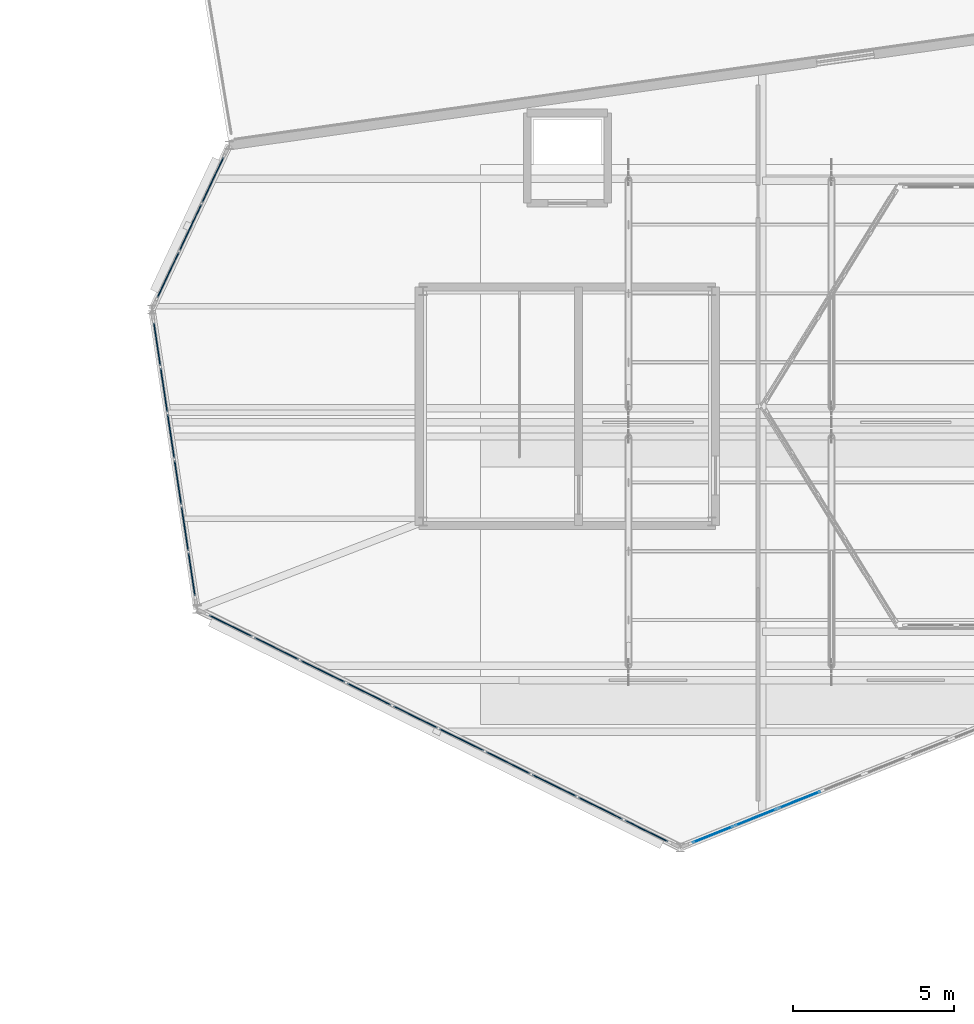
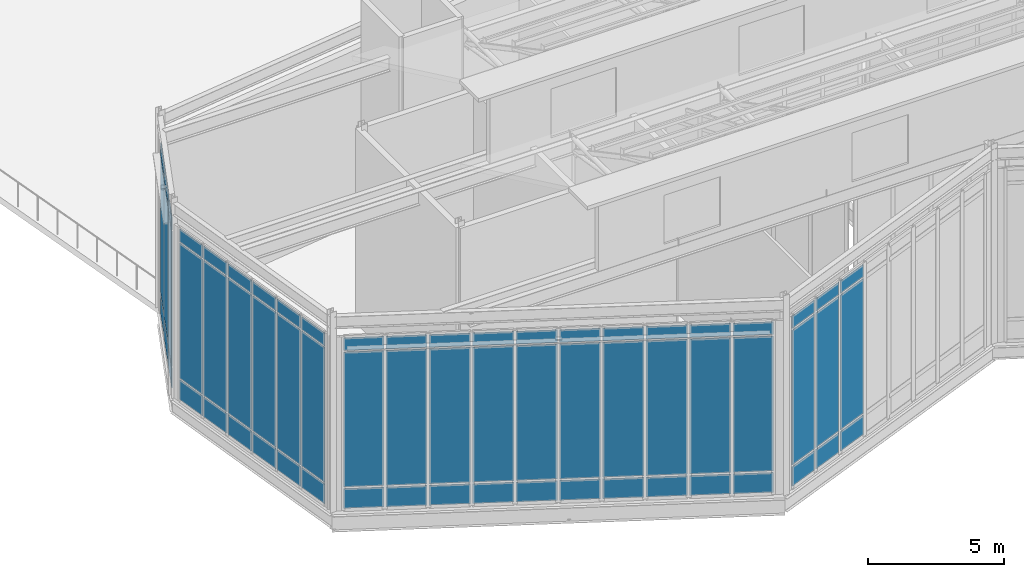
# One storey, part 42 of 66: 66 plates, 4 elements without a shape of their own.
"""IFC4 building model written with IfcOpenShell, lengths in metres."""

from ifc_helpers import new_model, si_unit, direction, frame, origin, origin_2d, place, context, subcontext, project, spatial, rectangle, extrude, material, layer, layer_set, type_object, element, aggregate, save


model = new_model("IFC4")

# Units and contexts
model_context = context("Model", 3, precision=1e-05, world=origin(), true_north=direction((0.0, 1.0)))
body_context = subcontext(model_context, "Body", "Model", "MODEL_VIEW")
ifc_project = project(units=[si_unit("LENGTHUNIT", "METRE"), si_unit("AREAUNIT", "SQUARE_METRE"), si_unit("VOLUMEUNIT", "CUBIC_METRE"), si_unit("PLANEANGLEUNIT", "RADIAN"), si_unit("MASSUNIT", "GRAM", prefix="KILO")], contexts=[model_context])

# Site, building, storey
site_placement = place(None, origin())
site = spatial("IfcSite", under=ifc_project, at=site_placement, CompositionType="ELEMENT")
building_placement = place(site_placement, origin())
building = spatial("IfcBuilding", under=site, at=building_placement, Name="Tameran Prism Museum", CompositionType="ELEMENT")
storey_placement = place(building_placement, frame((0.0, 0.0, 19.800048828125)))
storey = spatial("IfcBuildingStorey", under=building, at=storey_placement, Name="L04", CompositionType="ELEMENT", Elevation=19.800048828125)

# Curtain wall, plates
ifc_material_1 = material(Name="Anodised Aluminium 6063-T6 and Cyclone Solar Glass", Category="aluminium")
curtain_wall_type_1 = type_object("IfcCurtainWallType", Name="CW-FAC-1163x782", PredefinedType="USERDEFINED", material=ifc_material_1)
curtain_wall_1_placement = place(storey_placement, origin())
curtain_wall_1 = element("IfcCurtainWall", 1, at=curtain_wall_1_placement, inside=storey, type_object=curtain_wall_type_1, Name="Unitised Curtain Wall CW-158", ObjectType="UNITISED CURTAIN WALL", PredefinedType="USERDEFINED")
ifc_material_2 = material(Name="Low-E Laminated Solar Glass", Category="glass")
ifc_layer_1 = layer(ifc_material_2, 0.028076171875)
ifc_layer_set_1 = layer_set([ifc_layer_1])
plate_type_1 = type_object("IfcPlateType", Name="CW-PNL-G28", PredefinedType="CURTAIN_PANEL", material=ifc_layer_set_1)
plate_1_placement = place(storey_placement, frame((69.6982421875, 24.279296875, 0.080078125), z_axis=(0.0, 0.0, 1.0), x_axis=(-0.928464826032, -0.371420337114, 0.0)))
plate_1 = element("IfcPlate", 2, at=plate_1_placement, type_object=plate_type_1, Name="CW-158 panel 6.1", PredefinedType="CURTAIN_PANEL", context=body_context, shape_type="SweptSolid", body=[
    extrude(rectangle(XDim=1.373291015625, YDim=0.028076171875, at=origin_2d()), origin(), (0.0, 0.0, 1.0), 0.8798828125),
])
plate_2_placement = place(storey_placement, frame((69.6982421875, 24.279296875, 1.0400390625), z_axis=(0.0, 0.0, 1.0), x_axis=(-0.928464826032, -0.371420337114, 0.0)))
plate_2 = element("IfcPlate", 3, at=plate_2_placement, type_object=plate_type_1, Name="CW-158 panel 6.2", PredefinedType="CURTAIN_PANEL", context=body_context, shape_type="SweptSolid", body=[
    extrude(rectangle(XDim=1.373291015625, YDim=0.028076171875, at=origin_2d()), origin(), (0.0, 0.0, 1.0), 6.06005859375),
])
plate_3_placement = place(storey_placement, frame((69.6982421875, 24.279296875, 7.179931640625), z_axis=(0.0, 0.0, 1.0), x_axis=(-0.928464826032, -0.371420337114, 0.0)))
plate_3 = element("IfcPlate", 4, at=plate_3_placement, type_object=plate_type_1, Name="CW-158 panel 6.3", PredefinedType="CURTAIN_PANEL", context=body_context, shape_type="SweptSolid", body=[
    extrude(rectangle(XDim=1.373291015625, YDim=0.028076171875, at=origin_2d()), origin(), (0.0, 0.0, 1.0), 0.56005859375),
])
plate_4_placement = place(storey_placement, frame((68.348876953125, 23.73974609375, 0.080078125), z_axis=(0.0, 0.0, 1.0), x_axis=(-0.928464826032, -0.371420337114, 0.0)))
plate_4 = element("IfcPlate", 5, at=plate_4_placement, type_object=plate_type_1, Name="CW-158 panel 7.1", PredefinedType="CURTAIN_PANEL", context=body_context, shape_type="SweptSolid", body=[
    extrude(rectangle(XDim=1.373291015625, YDim=0.028076171875, at=origin_2d()), origin(), (0.0, 0.0, 1.0), 0.8798828125),
])
plate_5_placement = place(storey_placement, frame((68.348876953125, 23.73974609375, 1.0400390625), z_axis=(0.0, 0.0, 1.0), x_axis=(-0.928464826032, -0.371420337114, 0.0)))
plate_5 = element("IfcPlate", 6, at=plate_5_placement, type_object=plate_type_1, Name="CW-158 panel 7.2", PredefinedType="CURTAIN_PANEL", context=body_context, shape_type="SweptSolid", body=[
    extrude(rectangle(XDim=1.373291015625, YDim=0.028076171875, at=origin_2d()), origin(), (0.0, 0.0, 1.0), 6.06005859375),
])
plate_6_placement = place(storey_placement, frame((68.348876953125, 23.73974609375, 7.179931640625), z_axis=(0.0, 0.0, 1.0), x_axis=(-0.928464826032, -0.371420337114, 0.0)))
plate_6 = element("IfcPlate", 7, at=plate_6_placement, type_object=plate_type_1, Name="CW-158 panel 7.3", PredefinedType="CURTAIN_PANEL", context=body_context, shape_type="SweptSolid", body=[
    extrude(rectangle(XDim=1.373291015625, YDim=0.028076171875, at=origin_2d()), origin(), (0.0, 0.0, 1.0), 0.56005859375),
])
plate_7_placement = place(storey_placement, frame((67.018310546875, 23.207275390625, 0.080078125), z_axis=(0.0, 0.0, 1.0), x_axis=(-0.928464826032, -0.371420337114, 0.0)))
plate_7 = element("IfcPlate", 8, at=plate_7_placement, type_object=plate_type_1, Name="CW-158 panel 8.1", PredefinedType="CURTAIN_PANEL", context=body_context, shape_type="SweptSolid", body=[
    extrude(rectangle(XDim=1.333251953125, YDim=0.028076171875, at=origin_2d()), origin(), (0.0, 0.0, 1.0), 0.8798828125),
])
plate_8_placement = place(storey_placement, frame((67.018310546875, 23.207275390625, 1.0400390625), z_axis=(0.0, 0.0, 1.0), x_axis=(-0.928464826032, -0.371420337114, 0.0)))
plate_8 = element("IfcPlate", 9, at=plate_8_placement, type_object=plate_type_1, Name="CW-158 panel 8.2", PredefinedType="CURTAIN_PANEL", context=body_context, shape_type="SweptSolid", body=[
    extrude(rectangle(XDim=1.333251953125, YDim=0.028076171875, at=origin_2d()), origin(), (0.0, 0.0, 1.0), 6.06005859375),
])
plate_9_placement = place(storey_placement, frame((67.018310546875, 23.207275390625, 7.179931640625), z_axis=(0.0, 0.0, 1.0), x_axis=(-0.928464826032, -0.371420337114, 0.0)))
plate_9 = element("IfcPlate", 10, at=plate_9_placement, type_object=plate_type_1, Name="CW-158 panel 8.3", PredefinedType="CURTAIN_PANEL", context=body_context, shape_type="SweptSolid", body=[
    extrude(rectangle(XDim=1.333251953125, YDim=0.028076171875, at=origin_2d()), origin(), (0.0, 0.0, 1.0), 0.56005859375),
])
aggregate(curtain_wall_1, [plate_1, plate_2, plate_3, plate_4, plate_5, plate_6, plate_7, plate_8, plate_9])

ifc_material_3 = material(Name="Anodised Aluminium 6063-T6 and Cyclone Solar Glass", Category="aluminium")
curtain_wall_type_2 = type_object("IfcCurtainWallType", Name="CW-FAC-870x782", PredefinedType="USERDEFINED", material=ifc_material_3)
curtain_wall_2_placement = place(storey_placement, origin())
curtain_wall_2 = element("IfcCurtainWall", 11, at=curtain_wall_2_placement, inside=storey, type_object=curtain_wall_type_2, Name="Unitised Curtain Wall CW-156", ObjectType="UNITISED CURTAIN WALL", PredefinedType="USERDEFINED")
ifc_material_4 = material(Name="Cyclone Laminated Solar Glass", Category="glass")
ifc_layer_2 = layer(ifc_material_4, 0.031982421875)
ifc_layer_set_2 = layer_set([ifc_layer_2])
plate_type_2 = type_object("IfcPlateType", Name="CW-PNL-G32", PredefinedType="CURTAIN_PANEL", material=ifc_layer_set_2)
plate_10_placement = place(storey_placement, frame((50.83740234375, 31.280517578125, 0.06982421875), z_axis=(0.0, 0.0, 1.0), x_axis=(-0.148879703546, 0.988855314933, 0.0)))
plate_10 = element("IfcPlate", 12, at=plate_10_placement, type_object=plate_type_2, Name="CW-156 panel 1.1", PredefinedType="CURTAIN_PANEL", context=body_context, shape_type="SweptSolid", body=[
    extrude(rectangle(XDim=1.345947265625, YDim=0.031982421875, at=origin_2d()), origin(), (0.0, 0.0, 1.0), 0.89501953125),
])
plate_11_placement = place(storey_placement, frame((50.83740234375, 31.280517578125, 1.03515625), z_axis=(0.0, 0.0, 1.0), x_axis=(-0.148879703546, 0.988855314933, 0.0)))
plate_11 = element("IfcPlate", 13, at=plate_11_placement, type_object=plate_type_2, Name="CW-156 panel 1.2", PredefinedType="CURTAIN_PANEL", context=body_context, shape_type="SweptSolid", body=[
    extrude(rectangle(XDim=1.345947265625, YDim=0.031982421875, at=origin_2d()), origin(), (0.0, 0.0, 1.0), 6.070068359375),
])
plate_12_placement = place(storey_placement, frame((50.83740234375, 31.280517578125, 7.1748046875), z_axis=(0.0, 0.0, 1.0), x_axis=(-0.148879703546, 0.988855314933, 0.0)))
plate_12 = element("IfcPlate", 14, at=plate_12_placement, type_object=plate_type_2, Name="CW-156 panel 1.3", PredefinedType="CURTAIN_PANEL", context=body_context, shape_type="SweptSolid", body=[
    extrude(rectangle(XDim=1.345947265625, YDim=0.031982421875, at=origin_2d()), origin(), (0.0, 0.0, 1.0), 0.574951171875),
])
plate_13_placement = place(storey_placement, frame((50.6240234375, 32.697998046875, 0.06982421875), z_axis=(0.0, 0.0, 1.0), x_axis=(-0.148879703546, 0.988855314933, 0.0)))
plate_13 = element("IfcPlate", 15, at=plate_13_placement, type_object=plate_type_2, Name="CW-156 panel 2.1", PredefinedType="CURTAIN_PANEL", context=body_context, shape_type="SweptSolid", body=[
    extrude(rectangle(XDim=1.380859375, YDim=0.031982421875, at=origin_2d()), origin(), (0.0, 0.0, 1.0), 0.89501953125),
])
plate_14_placement = place(storey_placement, frame((50.6240234375, 32.697998046875, 1.03515625), z_axis=(0.0, 0.0, 1.0), x_axis=(-0.148879703546, 0.988855314933, 0.0)))
plate_14 = element("IfcPlate", 16, at=plate_14_placement, type_object=plate_type_2, Name="CW-156 panel 2.2", PredefinedType="CURTAIN_PANEL", context=body_context, shape_type="SweptSolid", body=[
    extrude(rectangle(XDim=1.380859375, YDim=0.031982421875, at=origin_2d()), origin(), (0.0, 0.0, 1.0), 6.070068359375),
])
plate_15_placement = place(storey_placement, frame((50.6240234375, 32.697998046875, 7.1748046875), z_axis=(0.0, 0.0, 1.0), x_axis=(-0.148879703546, 0.988855314933, 0.0)))
plate_15 = element("IfcPlate", 17, at=plate_15_placement, type_object=plate_type_2, Name="CW-156 panel 2.3", PredefinedType="CURTAIN_PANEL", context=body_context, shape_type="SweptSolid", body=[
    extrude(rectangle(XDim=1.380859375, YDim=0.031982421875, at=origin_2d()), origin(), (0.0, 0.0, 1.0), 0.574951171875),
])
plate_16_placement = place(storey_placement, frame((50.407958984375, 34.132568359375, 0.06982421875), z_axis=(0.0, 0.0, 1.0), x_axis=(-0.148879703546, 0.988855314933, 0.0)))
plate_16 = element("IfcPlate", 18, at=plate_16_placement, type_object=plate_type_2, Name="CW-156 panel 3.1", PredefinedType="CURTAIN_PANEL", context=body_context, shape_type="SweptSolid", body=[
    extrude(rectangle(XDim=1.380859375, YDim=0.031982421875, at=origin_2d()), origin(), (0.0, 0.0, 1.0), 0.89501953125),
])
plate_17_placement = place(storey_placement, frame((50.407958984375, 34.132568359375, 1.03515625), z_axis=(0.0, 0.0, 1.0), x_axis=(-0.148879703546, 0.988855314933, 0.0)))
plate_17 = element("IfcPlate", 19, at=plate_17_placement, type_object=plate_type_2, Name="CW-156 panel 3.2", PredefinedType="CURTAIN_PANEL", context=body_context, shape_type="SweptSolid", body=[
    extrude(rectangle(XDim=1.380859375, YDim=0.031982421875, at=origin_2d()), origin(), (0.0, 0.0, 1.0), 6.070068359375),
])
plate_18_placement = place(storey_placement, frame((50.407958984375, 34.132568359375, 7.1748046875), z_axis=(0.0, 0.0, 1.0), x_axis=(-0.148879703546, 0.988855314933, 0.0)))
plate_18 = element("IfcPlate", 20, at=plate_18_placement, type_object=plate_type_2, Name="CW-156 panel 3.3", PredefinedType="CURTAIN_PANEL", context=body_context, shape_type="SweptSolid", body=[
    extrude(rectangle(XDim=1.380859375, YDim=0.031982421875, at=origin_2d()), origin(), (0.0, 0.0, 1.0), 0.574951171875),
])
plate_19_placement = place(storey_placement, frame((50.19189453125, 35.5673828125, 0.06982421875), z_axis=(0.0, 0.0, 1.0), x_axis=(-0.148879703546, 0.988855314933, 0.0)))
plate_19 = element("IfcPlate", 21, at=plate_19_placement, type_object=plate_type_2, Name="CW-156 panel 4.1", PredefinedType="CURTAIN_PANEL", context=body_context, shape_type="SweptSolid", body=[
    extrude(rectangle(XDim=1.380859375, YDim=0.031982421875, at=origin_2d()), origin(), (0.0, 0.0, 1.0), 0.89501953125),
])
plate_20_placement = place(storey_placement, frame((50.19189453125, 35.5673828125, 1.03515625), z_axis=(0.0, 0.0, 1.0), x_axis=(-0.148879703546, 0.988855314933, 0.0)))
plate_20 = element("IfcPlate", 22, at=plate_20_placement, type_object=plate_type_2, Name="CW-156 panel 4.2", PredefinedType="CURTAIN_PANEL", context=body_context, shape_type="SweptSolid", body=[
    extrude(rectangle(XDim=1.380859375, YDim=0.031982421875, at=origin_2d()), origin(), (0.0, 0.0, 1.0), 6.070068359375),
])
plate_21_placement = place(storey_placement, frame((50.19189453125, 35.5673828125, 7.1748046875), z_axis=(0.0, 0.0, 1.0), x_axis=(-0.148879703546, 0.988855314933, 0.0)))
plate_21 = element("IfcPlate", 23, at=plate_21_placement, type_object=plate_type_2, Name="CW-156 panel 4.3", PredefinedType="CURTAIN_PANEL", context=body_context, shape_type="SweptSolid", body=[
    extrude(rectangle(XDim=1.380859375, YDim=0.031982421875, at=origin_2d()), origin(), (0.0, 0.0, 1.0), 0.574951171875),
])
plate_22_placement = place(storey_placement, frame((49.97607421875, 37.001953125, 0.06982421875), z_axis=(0.0, 0.0, 1.0), x_axis=(-0.148879703546, 0.988855314933, 0.0)))
plate_22 = element("IfcPlate", 24, at=plate_22_placement, type_object=plate_type_2, Name="CW-156 panel 5.1", PredefinedType="CURTAIN_PANEL", context=body_context, shape_type="SweptSolid", body=[
    extrude(rectangle(XDim=1.380859375, YDim=0.031982421875, at=origin_2d()), origin(), (0.0, 0.0, 1.0), 0.89501953125),
])
plate_23_placement = place(storey_placement, frame((49.97607421875, 37.001953125, 1.03515625), z_axis=(0.0, 0.0, 1.0), x_axis=(-0.148879703546, 0.988855314933, 0.0)))
plate_23 = element("IfcPlate", 25, at=plate_23_placement, type_object=plate_type_2, Name="CW-156 panel 5.2", PredefinedType="CURTAIN_PANEL", context=body_context, shape_type="SweptSolid", body=[
    extrude(rectangle(XDim=1.380859375, YDim=0.031982421875, at=origin_2d()), origin(), (0.0, 0.0, 1.0), 6.070068359375),
])
plate_24_placement = place(storey_placement, frame((49.97607421875, 37.001953125, 7.1748046875), z_axis=(0.0, 0.0, 1.0), x_axis=(-0.148879703546, 0.988855314933, 0.0)))
plate_24 = element("IfcPlate", 26, at=plate_24_placement, type_object=plate_type_2, Name="CW-156 panel 5.3", PredefinedType="CURTAIN_PANEL", context=body_context, shape_type="SweptSolid", body=[
    extrude(rectangle(XDim=1.380859375, YDim=0.031982421875, at=origin_2d()), origin(), (0.0, 0.0, 1.0), 0.574951171875),
])
plate_25_placement = place(storey_placement, frame((49.7626953125, 38.41943359375, 0.06982421875), z_axis=(0.0, 0.0, 1.0), x_axis=(-0.148879703546, 0.988855314933, 0.0)))
plate_25 = element("IfcPlate", 27, at=plate_25_placement, type_object=plate_type_2, Name="CW-156 panel 6.1", PredefinedType="CURTAIN_PANEL", context=body_context, shape_type="SweptSolid", body=[
    extrude(rectangle(XDim=1.345947265625, YDim=0.031982421875, at=origin_2d()), origin(), (0.0, 0.0, 1.0), 0.89501953125),
])
plate_26_placement = place(storey_placement, frame((49.7626953125, 38.41943359375, 1.03515625), z_axis=(0.0, 0.0, 1.0), x_axis=(-0.148879703546, 0.988855314933, 0.0)))
plate_26 = element("IfcPlate", 28, at=plate_26_placement, type_object=plate_type_2, Name="CW-156 panel 6.2", PredefinedType="CURTAIN_PANEL", context=body_context, shape_type="SweptSolid", body=[
    extrude(rectangle(XDim=1.345947265625, YDim=0.031982421875, at=origin_2d()), origin(), (0.0, 0.0, 1.0), 6.070068359375),
])
plate_27_placement = place(storey_placement, frame((49.7626953125, 38.41943359375, 7.1748046875), z_axis=(0.0, 0.0, 1.0), x_axis=(-0.148879703546, 0.988855314933, 0.0)))
plate_27 = element("IfcPlate", 29, at=plate_27_placement, type_object=plate_type_2, Name="CW-156 panel 6.3", PredefinedType="CURTAIN_PANEL", context=body_context, shape_type="SweptSolid", body=[
    extrude(rectangle(XDim=1.345947265625, YDim=0.031982421875, at=origin_2d()), origin(), (0.0, 0.0, 1.0), 0.574951171875),
])
aggregate(curtain_wall_2, [plate_10, plate_11, plate_12, plate_13, plate_14, plate_15, plate_16, plate_17, plate_18, plate_19, plate_20, plate_21, plate_22, plate_23, plate_24, plate_25, plate_26, plate_27])

ifc_material_5 = material(Name="Anodised Aluminium 6063-T6 and Cyclone Solar Glass", Category="aluminium")
curtain_wall_type_3 = type_object("IfcCurtainWallType", Name="CW-FAC-1603x782", PredefinedType="USERDEFINED", material=ifc_material_5)
curtain_wall_3_placement = place(storey_placement, origin())
curtain_wall_3 = element("IfcCurtainWall", 30, at=curtain_wall_3_placement, inside=storey, type_object=curtain_wall_type_3, Name="Unitised Curtain Wall CW-157", ObjectType="UNITISED CURTAIN WALL", PredefinedType="USERDEFINED")
plate_28_placement = place(storey_placement, frame((64.95068359375, 23.31787109375, 0.0751953125), z_axis=(0.0, 0.0, 1.0), x_axis=(-0.896810506275, 0.44241486846, 0.0)))
plate_28 = element("IfcPlate", 31, at=plate_28_placement, type_object=plate_type_2, Name="CW-157 panel 1.1", PredefinedType="CURTAIN_PANEL", context=body_context, shape_type="SweptSolid", body=[
    extrude(rectangle(XDim=1.489990234375, YDim=0.031982421875, at=origin_2d()), origin(), (0.0, 0.0, 1.0), 0.887451171875),
])
plate_29_placement = place(storey_placement, frame((64.95068359375, 23.31787109375, 1.03759765625), z_axis=(0.0, 0.0, 1.0), x_axis=(-0.896810506275, 0.44241486846, 0.0)))
plate_29 = element("IfcPlate", 32, at=plate_29_placement, type_object=plate_type_2, Name="CW-157 panel 1.2", PredefinedType="CURTAIN_PANEL", context=body_context, shape_type="SweptSolid", body=[
    extrude(rectangle(XDim=1.489990234375, YDim=0.031982421875, at=origin_2d()), origin(), (0.0, 0.0, 1.0), 6.06494140625),
])
plate_30_placement = place(storey_placement, frame((64.95068359375, 23.31787109375, 7.177490234375), z_axis=(0.0, 0.0, 1.0), x_axis=(-0.896810506275, 0.44241486846, 0.0)))
plate_30 = element("IfcPlate", 33, at=plate_30_placement, type_object=plate_type_2, Name="CW-157 panel 1.3", PredefinedType="CURTAIN_PANEL", context=body_context, shape_type="SweptSolid", body=[
    extrude(rectangle(XDim=1.489990234375, YDim=0.031982421875, at=origin_2d()), origin(), (0.0, 0.0, 1.0), 0.5673828125),
])
plate_31_placement = place(storey_placement, frame((63.5302734375, 24.0185546875, 0.0751953125), z_axis=(0.0, 0.0, 1.0), x_axis=(-0.896810506275, 0.44241486846, 0.0)))
plate_31 = element("IfcPlate", 34, at=plate_31_placement, type_object=plate_type_2, Name="CW-157 panel 2.1", PredefinedType="CURTAIN_PANEL", context=body_context, shape_type="SweptSolid", body=[
    extrude(rectangle(XDim=1.527587890625, YDim=0.031982421875, at=origin_2d()), origin(), (0.0, 0.0, 1.0), 0.887451171875),
])
plate_32_placement = place(storey_placement, frame((63.5302734375, 24.0185546875, 1.03759765625), z_axis=(0.0, 0.0, 1.0), x_axis=(-0.896810506275, 0.44241486846, 0.0)))
plate_32 = element("IfcPlate", 35, at=plate_32_placement, type_object=plate_type_2, Name="CW-157 panel 2.2", PredefinedType="CURTAIN_PANEL", context=body_context, shape_type="SweptSolid", body=[
    extrude(rectangle(XDim=1.527587890625, YDim=0.031982421875, at=origin_2d()), origin(), (0.0, 0.0, 1.0), 6.06494140625),
])
plate_33_placement = place(storey_placement, frame((63.5302734375, 24.0185546875, 7.177490234375), z_axis=(0.0, 0.0, 1.0), x_axis=(-0.896810506275, 0.44241486846, 0.0)))
plate_33 = element("IfcPlate", 36, at=plate_33_placement, type_object=plate_type_2, Name="CW-157 panel 2.3", PredefinedType="CURTAIN_PANEL", context=body_context, shape_type="SweptSolid", body=[
    extrude(rectangle(XDim=1.527587890625, YDim=0.031982421875, at=origin_2d()), origin(), (0.0, 0.0, 1.0), 0.5673828125),
])
plate_34_placement = place(storey_placement, frame((62.093017578125, 24.7275390625, 0.0751953125), z_axis=(0.0, 0.0, 1.0), x_axis=(-0.896810506275, 0.44241486846, 0.0)))
plate_34 = element("IfcPlate", 37, at=plate_34_placement, type_object=plate_type_2, Name="CW-157 panel 3.1", PredefinedType="CURTAIN_PANEL", context=body_context, shape_type="SweptSolid", body=[
    extrude(rectangle(XDim=1.527587890625, YDim=0.031982421875, at=origin_2d()), origin(), (0.0, 0.0, 1.0), 0.887451171875),
])
plate_35_placement = place(storey_placement, frame((62.093017578125, 24.7275390625, 1.03759765625), z_axis=(0.0, 0.0, 1.0), x_axis=(-0.896810506275, 0.44241486846, 0.0)))
plate_35 = element("IfcPlate", 38, at=plate_35_placement, type_object=plate_type_2, Name="CW-157 panel 3.2", PredefinedType="CURTAIN_PANEL", context=body_context, shape_type="SweptSolid", body=[
    extrude(rectangle(XDim=1.527587890625, YDim=0.031982421875, at=origin_2d()), origin(), (0.0, 0.0, 1.0), 6.06494140625),
])
plate_36_placement = place(storey_placement, frame((62.093017578125, 24.7275390625, 7.177490234375), z_axis=(0.0, 0.0, 1.0), x_axis=(-0.896810506275, 0.44241486846, 0.0)))
plate_36 = element("IfcPlate", 39, at=plate_36_placement, type_object=plate_type_2, Name="CW-157 panel 3.3", PredefinedType="CURTAIN_PANEL", context=body_context, shape_type="SweptSolid", body=[
    extrude(rectangle(XDim=1.527587890625, YDim=0.031982421875, at=origin_2d()), origin(), (0.0, 0.0, 1.0), 0.5673828125),
])
plate_37_placement = place(storey_placement, frame((60.65576171875, 25.4365234375, 0.0751953125), z_axis=(0.0, 0.0, 1.0), x_axis=(-0.896810506275, 0.44241486846, 0.0)))
plate_37 = element("IfcPlate", 40, at=plate_37_placement, type_object=plate_type_2, Name="CW-157 panel 4.1", PredefinedType="CURTAIN_PANEL", context=body_context, shape_type="SweptSolid", body=[
    extrude(rectangle(XDim=1.527587890625, YDim=0.031982421875, at=origin_2d()), origin(), (0.0, 0.0, 1.0), 0.887451171875),
])
plate_38_placement = place(storey_placement, frame((60.65576171875, 25.4365234375, 1.03759765625), z_axis=(0.0, 0.0, 1.0), x_axis=(-0.896810506275, 0.44241486846, 0.0)))
plate_38 = element("IfcPlate", 41, at=plate_38_placement, type_object=plate_type_2, Name="CW-157 panel 4.2", PredefinedType="CURTAIN_PANEL", context=body_context, shape_type="SweptSolid", body=[
    extrude(rectangle(XDim=1.527587890625, YDim=0.031982421875, at=origin_2d()), origin(), (0.0, 0.0, 1.0), 6.06494140625),
])
plate_39_placement = place(storey_placement, frame((60.65576171875, 25.4365234375, 7.177490234375), z_axis=(0.0, 0.0, 1.0), x_axis=(-0.896810506275, 0.44241486846, 0.0)))
plate_39 = element("IfcPlate", 42, at=plate_39_placement, type_object=plate_type_2, Name="CW-157 panel 4.3", PredefinedType="CURTAIN_PANEL", context=body_context, shape_type="SweptSolid", body=[
    extrude(rectangle(XDim=1.527587890625, YDim=0.031982421875, at=origin_2d()), origin(), (0.0, 0.0, 1.0), 0.5673828125),
])
plate_40_placement = place(storey_placement, frame((59.218505859375, 26.1455078125, 0.0751953125), z_axis=(0.0, 0.0, 1.0), x_axis=(-0.896810506275, 0.44241486846, 0.0)))
plate_40 = element("IfcPlate", 43, at=plate_40_placement, type_object=plate_type_2, Name="CW-157 panel 5.1", PredefinedType="CURTAIN_PANEL", context=body_context, shape_type="SweptSolid", body=[
    extrude(rectangle(XDim=1.527587890625, YDim=0.031982421875, at=origin_2d()), origin(), (0.0, 0.0, 1.0), 0.887451171875),
])
plate_41_placement = place(storey_placement, frame((59.218505859375, 26.1455078125, 1.03759765625), z_axis=(0.0, 0.0, 1.0), x_axis=(-0.896810506275, 0.44241486846, 0.0)))
plate_41 = element("IfcPlate", 44, at=plate_41_placement, type_object=plate_type_2, Name="CW-157 panel 5.2", PredefinedType="CURTAIN_PANEL", context=body_context, shape_type="SweptSolid", body=[
    extrude(rectangle(XDim=1.527587890625, YDim=0.031982421875, at=origin_2d()), origin(), (0.0, 0.0, 1.0), 6.06494140625),
])
plate_42_placement = place(storey_placement, frame((59.218505859375, 26.1455078125, 7.177490234375), z_axis=(0.0, 0.0, 1.0), x_axis=(-0.896810506275, 0.44241486846, 0.0)))
plate_42 = element("IfcPlate", 45, at=plate_42_placement, type_object=plate_type_2, Name="CW-157 panel 5.3", PredefinedType="CURTAIN_PANEL", context=body_context, shape_type="SweptSolid", body=[
    extrude(rectangle(XDim=1.527587890625, YDim=0.031982421875, at=origin_2d()), origin(), (0.0, 0.0, 1.0), 0.5673828125),
])
plate_43_placement = place(storey_placement, frame((57.781494140625, 26.8544921875, 0.0751953125), z_axis=(0.0, 0.0, 1.0), x_axis=(-0.896810506275, 0.44241486846, 0.0)))
plate_43 = element("IfcPlate", 46, at=plate_43_placement, type_object=plate_type_2, Name="CW-157 panel 6.1", PredefinedType="CURTAIN_PANEL", context=body_context, shape_type="SweptSolid", body=[
    extrude(rectangle(XDim=1.527587890625, YDim=0.031982421875, at=origin_2d()), origin(), (0.0, 0.0, 1.0), 0.887451171875),
])
plate_44_placement = place(storey_placement, frame((57.781494140625, 26.8544921875, 1.03759765625), z_axis=(0.0, 0.0, 1.0), x_axis=(-0.896810506275, 0.44241486846, 0.0)))
plate_44 = element("IfcPlate", 47, at=plate_44_placement, type_object=plate_type_2, Name="CW-157 panel 6.2", PredefinedType="CURTAIN_PANEL", context=body_context, shape_type="SweptSolid", body=[
    extrude(rectangle(XDim=1.527587890625, YDim=0.031982421875, at=origin_2d()), origin(), (0.0, 0.0, 1.0), 6.06494140625),
])
plate_45_placement = place(storey_placement, frame((57.781494140625, 26.8544921875, 7.177490234375), z_axis=(0.0, 0.0, 1.0), x_axis=(-0.896810506275, 0.44241486846, 0.0)))
plate_45 = element("IfcPlate", 48, at=plate_45_placement, type_object=plate_type_2, Name="CW-157 panel 6.3", PredefinedType="CURTAIN_PANEL", context=body_context, shape_type="SweptSolid", body=[
    extrude(rectangle(XDim=1.527587890625, YDim=0.031982421875, at=origin_2d()), origin(), (0.0, 0.0, 1.0), 0.5673828125),
])
plate_46_placement = place(storey_placement, frame((56.34423828125, 27.5634765625, 0.0751953125), z_axis=(0.0, 0.0, 1.0), x_axis=(-0.896810506275, 0.44241486846, 0.0)))
plate_46 = element("IfcPlate", 49, at=plate_46_placement, type_object=plate_type_2, Name="CW-157 panel 7.1", PredefinedType="CURTAIN_PANEL", context=body_context, shape_type="SweptSolid", body=[
    extrude(rectangle(XDim=1.527587890625, YDim=0.031982421875, at=origin_2d()), origin(), (0.0, 0.0, 1.0), 0.887451171875),
])
plate_47_placement = place(storey_placement, frame((56.34423828125, 27.5634765625, 1.03759765625), z_axis=(0.0, 0.0, 1.0), x_axis=(-0.896810506275, 0.44241486846, 0.0)))
plate_47 = element("IfcPlate", 50, at=plate_47_placement, type_object=plate_type_2, Name="CW-157 panel 7.2", PredefinedType="CURTAIN_PANEL", context=body_context, shape_type="SweptSolid", body=[
    extrude(rectangle(XDim=1.527587890625, YDim=0.031982421875, at=origin_2d()), origin(), (0.0, 0.0, 1.0), 6.06494140625),
])
plate_48_placement = place(storey_placement, frame((56.34423828125, 27.5634765625, 7.177490234375), z_axis=(0.0, 0.0, 1.0), x_axis=(-0.896810506275, 0.44241486846, 0.0)))
plate_48 = element("IfcPlate", 51, at=plate_48_placement, type_object=plate_type_2, Name="CW-157 panel 7.3", PredefinedType="CURTAIN_PANEL", context=body_context, shape_type="SweptSolid", body=[
    extrude(rectangle(XDim=1.527587890625, YDim=0.031982421875, at=origin_2d()), origin(), (0.0, 0.0, 1.0), 0.5673828125),
])
plate_49_placement = place(storey_placement, frame((54.906982421875, 28.2724609375, 0.0751953125), z_axis=(0.0, 0.0, 1.0), x_axis=(-0.896810506275, 0.44241486846, 0.0)))
plate_49 = element("IfcPlate", 52, at=plate_49_placement, type_object=plate_type_2, Name="CW-157 panel 8.1", PredefinedType="CURTAIN_PANEL", context=body_context, shape_type="SweptSolid", body=[
    extrude(rectangle(XDim=1.527587890625, YDim=0.031982421875, at=origin_2d()), origin(), (0.0, 0.0, 1.0), 0.887451171875),
])
plate_50_placement = place(storey_placement, frame((54.906982421875, 28.2724609375, 1.03759765625), z_axis=(0.0, 0.0, 1.0), x_axis=(-0.896810506275, 0.44241486846, 0.0)))
plate_50 = element("IfcPlate", 53, at=plate_50_placement, type_object=plate_type_2, Name="CW-157 panel 8.2", PredefinedType="CURTAIN_PANEL", context=body_context, shape_type="SweptSolid", body=[
    extrude(rectangle(XDim=1.527587890625, YDim=0.031982421875, at=origin_2d()), origin(), (0.0, 0.0, 1.0), 6.06494140625),
])
plate_51_placement = place(storey_placement, frame((54.906982421875, 28.2724609375, 7.177490234375), z_axis=(0.0, 0.0, 1.0), x_axis=(-0.896810506275, 0.44241486846, 0.0)))
plate_51 = element("IfcPlate", 54, at=plate_51_placement, type_object=plate_type_2, Name="CW-157 panel 8.3", PredefinedType="CURTAIN_PANEL", context=body_context, shape_type="SweptSolid", body=[
    extrude(rectangle(XDim=1.527587890625, YDim=0.031982421875, at=origin_2d()), origin(), (0.0, 0.0, 1.0), 0.5673828125),
])
plate_52_placement = place(storey_placement, frame((53.4697265625, 28.9814453125, 0.0751953125), z_axis=(0.0, 0.0, 1.0), x_axis=(-0.896810506275, 0.44241486846, 0.0)))
plate_52 = element("IfcPlate", 55, at=plate_52_placement, type_object=plate_type_2, Name="CW-157 panel 9.1", PredefinedType="CURTAIN_PANEL", context=body_context, shape_type="SweptSolid", body=[
    extrude(rectangle(XDim=1.527587890625, YDim=0.031982421875, at=origin_2d()), origin(), (0.0, 0.0, 1.0), 0.887451171875),
])
plate_53_placement = place(storey_placement, frame((53.4697265625, 28.9814453125, 1.03759765625), z_axis=(0.0, 0.0, 1.0), x_axis=(-0.896810506275, 0.44241486846, 0.0)))
plate_53 = element("IfcPlate", 56, at=plate_53_placement, type_object=plate_type_2, Name="CW-157 panel 9.2", PredefinedType="CURTAIN_PANEL", context=body_context, shape_type="SweptSolid", body=[
    extrude(rectangle(XDim=1.527587890625, YDim=0.031982421875, at=origin_2d()), origin(), (0.0, 0.0, 1.0), 6.06494140625),
])
plate_54_placement = place(storey_placement, frame((53.4697265625, 28.9814453125, 7.177490234375), z_axis=(0.0, 0.0, 1.0), x_axis=(-0.896810506275, 0.44241486846, 0.0)))
plate_54 = element("IfcPlate", 57, at=plate_54_placement, type_object=plate_type_2, Name="CW-157 panel 9.3", PredefinedType="CURTAIN_PANEL", context=body_context, shape_type="SweptSolid", body=[
    extrude(rectangle(XDim=1.527587890625, YDim=0.031982421875, at=origin_2d()), origin(), (0.0, 0.0, 1.0), 0.5673828125),
])
plate_55_placement = place(storey_placement, frame((52.04931640625, 29.68212890625, 0.0751953125), z_axis=(0.0, 0.0, 1.0), x_axis=(-0.896810506275, 0.44241486846, 0.0)))
plate_55 = element("IfcPlate", 58, at=plate_55_placement, type_object=plate_type_2, Name="CW-157 panel 10.1", PredefinedType="CURTAIN_PANEL", context=body_context, shape_type="SweptSolid", body=[
    extrude(rectangle(XDim=1.489990234375, YDim=0.031982421875, at=origin_2d()), origin(), (0.0, 0.0, 1.0), 0.887451171875),
])
plate_56_placement = place(storey_placement, frame((52.04931640625, 29.68212890625, 1.03759765625), z_axis=(0.0, 0.0, 1.0), x_axis=(-0.896810506275, 0.44241486846, 0.0)))
plate_56 = element("IfcPlate", 59, at=plate_56_placement, type_object=plate_type_2, Name="CW-157 panel 10.2", PredefinedType="CURTAIN_PANEL", context=body_context, shape_type="SweptSolid", body=[
    extrude(rectangle(XDim=1.489990234375, YDim=0.031982421875, at=origin_2d()), origin(), (0.0, 0.0, 1.0), 6.06494140625),
])
plate_57_placement = place(storey_placement, frame((52.04931640625, 29.68212890625, 7.177490234375), z_axis=(0.0, 0.0, 1.0), x_axis=(-0.896810506275, 0.44241486846, 0.0)))
plate_57 = element("IfcPlate", 60, at=plate_57_placement, type_object=plate_type_2, Name="CW-157 panel 10.3", PredefinedType="CURTAIN_PANEL", context=body_context, shape_type="SweptSolid", body=[
    extrude(rectangle(XDim=1.489990234375, YDim=0.031982421875, at=origin_2d()), origin(), (0.0, 0.0, 1.0), 0.5673828125),
])
aggregate(curtain_wall_3, [plate_28, plate_29, plate_30, plate_31, plate_32, plate_33, plate_34, plate_35, plate_36, plate_37, plate_38, plate_39, plate_40, plate_41, plate_42, plate_43, plate_44, plate_45, plate_46, plate_47, plate_48, plate_49, plate_50, plate_51, plate_52, plate_53, plate_54, plate_55, plate_56, plate_57])

ifc_material_6 = material(Name="Anodised Aluminium 6063-T6 and Cyclone Solar Glass", Category="aluminium")
curtain_wall_type_4 = type_object("IfcCurtainWallType", Name="CW-FAC-494x782", PredefinedType="USERDEFINED", material=ifc_material_6)
curtain_wall_4_placement = place(storey_placement, origin())
curtain_wall_4 = element("IfcCurtainWall", 61, at=curtain_wall_4_placement, inside=storey, type_object=curtain_wall_type_4, Name="Unitised Curtain Wall CW-159", ObjectType="UNITISED CURTAIN WALL", PredefinedType="USERDEFINED")
plate_58_placement = place(storey_placement, frame((50.106201171875, 40.575927734375, 0.06494140625), z_axis=(0.0, 0.0, 1.0), x_axis=(0.425855575765, 0.904791151918, 0.0)))
plate_58 = element("IfcPlate", 62, at=plate_58_placement, type_object=plate_type_2, Name="CW-159 panel 1.1", PredefinedType="CURTAIN_PANEL", context=body_context, shape_type="SweptSolid", body=[
    extrude(rectangle(XDim=1.5478515625, YDim=0.031982421875, at=origin_2d()), origin(), (0.0, 0.0, 1.0), 0.902587890625),
])
plate_59_placement = place(storey_placement, frame((50.106201171875, 40.575927734375, 1.03271484375), z_axis=(0.0, 0.0, 1.0), x_axis=(0.425855575765, 0.904791151918, 0.0)))
plate_59 = element("IfcPlate", 63, at=plate_59_placement, type_object=plate_type_2, Name="CW-159 panel 1.2", PredefinedType="CURTAIN_PANEL", context=body_context, shape_type="SweptSolid", body=[
    extrude(rectangle(XDim=1.5478515625, YDim=0.031982421875, at=origin_2d()), origin(), (0.0, 0.0, 1.0), 6.074951171875),
])
plate_60_placement = place(storey_placement, frame((50.106201171875, 40.575927734375, 7.17236328125), z_axis=(0.0, 0.0, 1.0), x_axis=(0.425855575765, 0.904791151918, 0.0)))
plate_60 = element("IfcPlate", 64, at=plate_60_placement, type_object=plate_type_2, Name="CW-159 panel 1.3", PredefinedType="CURTAIN_PANEL", context=body_context, shape_type="SweptSolid", body=[
    extrude(rectangle(XDim=1.5478515625, YDim=0.031982421875, at=origin_2d()), origin(), (0.0, 0.0, 1.0), 0.58251953125),
])
plate_61_placement = place(storey_placement, frame((50.800048828125, 42.050048828125, 0.06494140625), z_axis=(0.0, 0.0, 1.0), x_axis=(0.425855575765, 0.904791151918, 0.0)))
plate_61 = element("IfcPlate", 65, at=plate_61_placement, type_object=plate_type_2, Name="CW-159 panel 2.1", PredefinedType="CURTAIN_PANEL", context=body_context, shape_type="SweptSolid", body=[
    extrude(rectangle(XDim=1.580322265625, YDim=0.031982421875, at=origin_2d()), origin(), (0.0, 0.0, 1.0), 0.902587890625),
])
plate_62_placement = place(storey_placement, frame((50.800048828125, 42.050048828125, 1.03271484375), z_axis=(0.0, 0.0, 1.0), x_axis=(0.425855575765, 0.904791151918, 0.0)))
plate_62 = element("IfcPlate", 66, at=plate_62_placement, type_object=plate_type_2, Name="CW-159 panel 2.2", PredefinedType="CURTAIN_PANEL", context=body_context, shape_type="SweptSolid", body=[
    extrude(rectangle(XDim=1.580322265625, YDim=0.031982421875, at=origin_2d()), origin(), (0.0, 0.0, 1.0), 6.074951171875),
])
plate_63_placement = place(storey_placement, frame((50.800048828125, 42.050048828125, 7.17236328125), z_axis=(0.0, 0.0, 1.0), x_axis=(0.425855575765, 0.904791151918, 0.0)))
plate_63 = element("IfcPlate", 67, at=plate_63_placement, type_object=plate_type_2, Name="CW-159 panel 2.3", PredefinedType="CURTAIN_PANEL", context=body_context, shape_type="SweptSolid", body=[
    extrude(rectangle(XDim=1.580322265625, YDim=0.031982421875, at=origin_2d()), origin(), (0.0, 0.0, 1.0), 0.58251953125),
])
plate_64_placement = place(storey_placement, frame((51.49365234375, 43.52392578125, 0.06494140625), z_axis=(0.0, 0.0, 1.0), x_axis=(0.425855575765, 0.904791151918, 0.0)))
plate_64 = element("IfcPlate", 68, at=plate_64_placement, type_object=plate_type_2, Name="CW-159 panel 3.1", PredefinedType="CURTAIN_PANEL", context=body_context, shape_type="SweptSolid", body=[
    extrude(rectangle(XDim=1.5478515625, YDim=0.031982421875, at=origin_2d()), origin(), (0.0, 0.0, 1.0), 0.902587890625),
])
plate_65_placement = place(storey_placement, frame((51.49365234375, 43.52392578125, 1.03271484375), z_axis=(0.0, 0.0, 1.0), x_axis=(0.425855575765, 0.904791151918, 0.0)))
plate_65 = element("IfcPlate", 69, at=plate_65_placement, type_object=plate_type_2, Name="CW-159 panel 3.2", PredefinedType="CURTAIN_PANEL", context=body_context, shape_type="SweptSolid", body=[
    extrude(rectangle(XDim=1.5478515625, YDim=0.031982421875, at=origin_2d()), origin(), (0.0, 0.0, 1.0), 6.074951171875),
])
plate_66_placement = place(storey_placement, frame((51.49365234375, 43.52392578125, 7.17236328125), z_axis=(0.0, 0.0, 1.0), x_axis=(0.425855575765, 0.904791151918, 0.0)))
plate_66 = element("IfcPlate", 70, at=plate_66_placement, type_object=plate_type_2, Name="CW-159 panel 3.3", PredefinedType="CURTAIN_PANEL", context=body_context, shape_type="SweptSolid", body=[
    extrude(rectangle(XDim=1.5478515625, YDim=0.031982421875, at=origin_2d()), origin(), (0.0, 0.0, 1.0), 0.58251953125),
])
aggregate(curtain_wall_4, [plate_58, plate_59, plate_60, plate_61, plate_62, plate_63, plate_64, plate_65, plate_66])

save(model, "model.ifc")
